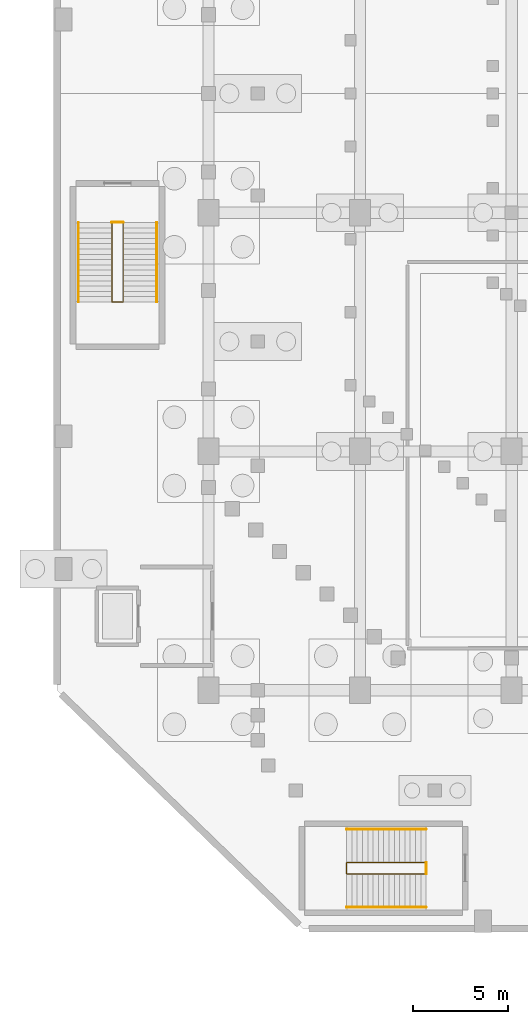
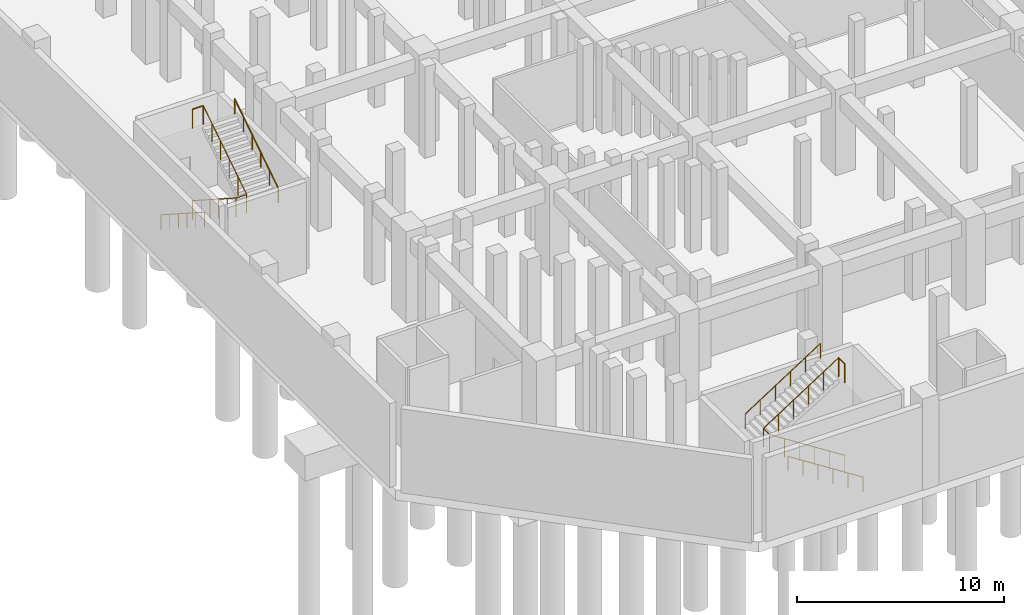
# One storey, part 21 of 27: 8 railings.
"""IFC4 building model written with IfcOpenShell, lengths in metres."""

from ifc_helpers import new_model, si_unit, derived_unit, direction, frame, origin, origin_2d, place, context, subcontext, project, spatial, circle, extrude, material, type_object, element, save


model = new_model("IFC4")

# Units and contexts
model_context = context("Model", 3, precision=1e-05, world=origin(), true_north=direction((0.0, 1.0)))
body_context = subcontext(model_context, "Body", "Model", "MODEL_VIEW")
ifc_project = project(units=[si_unit("LENGTHUNIT", "METRE"), si_unit("AREAUNIT", "SQUARE_METRE"), si_unit("VOLUMEUNIT", "CUBIC_METRE"), si_unit("PLANEANGLEUNIT", "RADIAN"), si_unit("MASSUNIT", "GRAM", prefix="KILO"), derived_unit("THERMALTRANSMITTANCEUNIT", [(si_unit("MASSUNIT", "GRAM", prefix="KILO"), 1), (si_unit("TIMEUNIT", "SECOND"), -3), (si_unit("THERMODYNAMICTEMPERATUREUNIT", "KELVIN"), -1)])], contexts=[model_context])

# Site, building, storey
site_placement = place(None, origin())
site = spatial("IfcSite", under=ifc_project, at=site_placement, CompositionType="ELEMENT")
building_placement = place(site_placement, origin())
building = spatial("IfcBuilding", under=site, at=building_placement, Name="Valcora Ridge Arena", CompositionType="ELEMENT")
storey_placement = place(building_placement, frame((0.0, 0.0, -5.39990234375)))
storey = spatial("IfcBuildingStorey", under=building, at=storey_placement, Name="B1", CompositionType="ELEMENT", Elevation=-5.39990234375)

# Railings
ifc_material = material(Name="Galvanized painted steel ASTM A500 Grade B", Category="steel")
railing_type_1 = type_object("IfcRailingType", Name="TY-RAILING-GRD-STAIR-1120", PredefinedType="GUARDRAIL", material=ifc_material)
railing_1_placement = place(storey_placement, frame((35.489990234375, 22.89990234375, 0.0)))
element("IfcRailing", 1, at=railing_1_placement, inside=storey, type_object=railing_type_1, Name="GRD-STAIR-1120 RAL-SG-0001", PredefinedType="GUARDRAIL", context=body_context, shape_type="SweptSolid", body=[
    extrude(circle(Radius=0.02392578125, at=origin_2d()), frame((0.0, 0.0, 1.09619140625), z_axis=(-0.841180064094, 0.0, 0.540755119968), x_axis=(0.0, -1.0, 0.0)), (0.0, 0.0, 1.0), 4.992919921875),
    extrude(circle(Radius=0.02392578125, at=origin_2d()), frame((-4.199951171875, 0.0, 3.7958984375), z_axis=(0.0, 1.0, 0.0), x_axis=(-1.0, 0.0, 0.0)), (0.0, 0.0, 1.0), 0.60009765625),
    extrude(circle(Radius=0.02392578125, at=origin_2d()), frame((-4.199951171875, 0.60009765625, 3.7958984375), z_axis=(0.841180064094, 0.0, 0.540755119968), x_axis=(0.0, 1.0, 0.0)), (0.0, 0.0, 1.0), 4.992919921875),
    extrude(circle(Radius=0.02099609375, at=origin_2d()), origin(), (0.0, 0.0, 1.0), 1.072021484375),
    extrude(circle(Radius=0.02099609375, at=origin_2d()), frame((-0.840087890625, 0.0, 0.5400390625)), (0.0, 0.0, 1.0), 1.072021484375),
    extrude(circle(Radius=0.02099609375, at=origin_2d()), frame((-1.679931640625, 0.0, 1.080078125)), (0.0, 0.0, 1.0), 1.072021484375),
    extrude(circle(Radius=0.02099609375, at=origin_2d()), frame((-2.52001953125, 0.0, 1.619873046875)), (0.0, 0.0, 1.0), 1.072021484375),
    extrude(circle(Radius=0.02099609375, at=origin_2d()), frame((-3.35986328125, 0.0, 2.159912109375)), (0.0, 0.0, 1.0), 1.072021484375),
    extrude(circle(Radius=0.02099609375, at=origin_2d()), frame((-4.199951171875, 0.0, 2.699951171875)), (0.0, 0.0, 1.0), 1.072021484375),
    extrude(circle(Radius=0.02099609375, at=origin_2d()), frame((-4.199951171875, 0.60009765625, 2.699951171875)), (0.0, 0.0, 1.0), 1.072021484375),
    extrude(circle(Radius=0.02099609375, at=origin_2d()), frame((-3.35986328125, 0.60009765625, 3.239990234375)), (0.0, 0.0, 1.0), 1.072021484375),
    extrude(circle(Radius=0.02099609375, at=origin_2d()), frame((-2.52001953125, 0.60009765625, 3.780029296875)), (0.0, 0.0, 1.0), 1.072021484375),
    extrude(circle(Radius=0.02099609375, at=origin_2d()), frame((-1.679931640625, 0.60009765625, 4.31982421875)), (0.0, 0.0, 1.0), 1.072021484375),
    extrude(circle(Radius=0.02099609375, at=origin_2d()), frame((-0.840087890625, 0.60009765625, 4.85986328125)), (0.0, 0.0, 1.0), 1.072021484375),
    extrude(circle(Radius=0.02099609375, at=origin_2d()), frame((0.0, 0.60009765625, 5.39990234375)), (0.0, 0.0, 1.0), 1.072021484375),
])
railing_2_placement = place(storey_placement, frame((35.489990234375, 22.89990234375, 5.39990234375)))
element("IfcRailing", 2, at=railing_2_placement, inside=storey, type_object=railing_type_1, Name="GRD-STAIR-1120 RAL-SG-0002", PredefinedType="GUARDRAIL", context=body_context, shape_type="SweptSolid", body=[
    extrude(circle(Radius=0.02392578125, at=origin_2d()), frame((0.0, 0.0, 1.09619140625), z_axis=(0.0, 1.0, 0.0), x_axis=(-1.0, 0.0, 0.0)), (0.0, 0.0, 1.0), 0.60009765625),
    extrude(circle(Radius=0.02099609375, at=origin_2d()), origin(), (0.0, 0.0, 1.0), 1.072021484375),
    extrude(circle(Radius=0.02099609375, at=origin_2d()), frame((0.0, 0.60009765625, 0.0)), (0.0, 0.0, 1.0), 1.072021484375),
])
railing_3_placement = place(storey_placement, frame((18.89990234375, 57.2900390625, 0.0)))
element("IfcRailing", 3, at=railing_3_placement, inside=storey, type_object=railing_type_1, Name="GRD-STAIR-1120 RAL-SG-0045", PredefinedType="GUARDRAIL", context=body_context, shape_type="SweptSolid", body=[
    extrude(circle(Radius=0.02392578125, at=origin_2d()), frame((0.0, 0.0, 1.09619140625), z_axis=(0.0, -0.841180064094, 0.540755119968), x_axis=(1.0, 0.0, 0.0)), (0.0, 0.0, 1.0), 4.992919921875),
    extrude(circle(Radius=0.02392578125, at=origin_2d()), frame((0.0, -4.199951171875, 3.7958984375), z_axis=(1.0, 0.0, 0.0), x_axis=(0.0, 1.0, 0.0)), (0.0, 0.0, 1.0), 0.60009765625),
    extrude(circle(Radius=0.02392578125, at=origin_2d()), frame((0.60009765625, -4.199951171875, 3.7958984375), z_axis=(0.0, 0.841180064094, 0.540755119968), x_axis=(-1.0, 0.0, 0.0)), (0.0, 0.0, 1.0), 4.992919921875),
    extrude(circle(Radius=0.02099609375, at=origin_2d()), origin(), (0.0, 0.0, 1.0), 1.072021484375),
    extrude(circle(Radius=0.02099609375, at=origin_2d()), frame((0.0, -0.840087890625, 0.5400390625)), (0.0, 0.0, 1.0), 1.072021484375),
    extrude(circle(Radius=0.02099609375, at=origin_2d()), frame((0.0, -1.679931640625, 1.080078125)), (0.0, 0.0, 1.0), 1.072021484375),
    extrude(circle(Radius=0.02099609375, at=origin_2d()), frame((0.0, -2.52001953125, 1.619873046875)), (0.0, 0.0, 1.0), 1.072021484375),
    extrude(circle(Radius=0.02099609375, at=origin_2d()), frame((0.0, -3.35986328125, 2.159912109375)), (0.0, 0.0, 1.0), 1.072021484375),
    extrude(circle(Radius=0.02099609375, at=origin_2d()), frame((0.0, -4.199951171875, 2.699951171875)), (0.0, 0.0, 1.0), 1.072021484375),
    extrude(circle(Radius=0.02099609375, at=origin_2d()), frame((0.60009765625, -4.199951171875, 2.699951171875)), (0.0, 0.0, 1.0), 1.072021484375),
    extrude(circle(Radius=0.02099609375, at=origin_2d()), frame((0.60009765625, -3.35986328125, 3.239990234375)), (0.0, 0.0, 1.0), 1.072021484375),
    extrude(circle(Radius=0.02099609375, at=origin_2d()), frame((0.60009765625, -2.52001953125, 3.780029296875)), (0.0, 0.0, 1.0), 1.072021484375),
    extrude(circle(Radius=0.02099609375, at=origin_2d()), frame((0.60009765625, -1.679931640625, 4.31982421875)), (0.0, 0.0, 1.0), 1.072021484375),
    extrude(circle(Radius=0.02099609375, at=origin_2d()), frame((0.60009765625, -0.840087890625, 4.85986328125)), (0.0, 0.0, 1.0), 1.072021484375),
    extrude(circle(Radius=0.02099609375, at=origin_2d()), frame((0.60009765625, 0.0, 5.39990234375)), (0.0, 0.0, 1.0), 1.072021484375),
])
railing_4_placement = place(storey_placement, frame((18.89990234375, 57.2900390625, 5.39990234375)))
element("IfcRailing", 4, at=railing_4_placement, inside=storey, type_object=railing_type_1, Name="GRD-STAIR-1120 RAL-SG-0046", PredefinedType="GUARDRAIL", context=body_context, shape_type="SweptSolid", body=[
    extrude(circle(Radius=0.02392578125, at=origin_2d()), frame((0.0, 0.0, 1.09619140625), z_axis=(1.0, 0.0, 0.0), x_axis=(0.0, 1.0, 0.0)), (0.0, 0.0, 1.0), 0.60009765625),
    extrude(circle(Radius=0.02099609375, at=origin_2d()), origin(), (0.0, 0.0, 1.0), 1.072021484375),
    extrude(circle(Radius=0.02099609375, at=origin_2d()), frame((0.60009765625, 0.0, 0.0)), (0.0, 0.0, 1.0), 1.072021484375),
])
railing_type_2 = type_object("IfcRailingType", Name="TY-RAILING-HR-STAIR-900", PredefinedType="HANDRAIL", material=ifc_material)
railing_5_placement = place(storey_placement, frame((35.489990234375, 21.139892578125, 0.0)))
element("IfcRailing", 5, at=railing_5_placement, inside=storey, type_object=railing_type_2, Name="HR-STAIR-900 RAL-SH-0001", PredefinedType="HANDRAIL", context=body_context, shape_type="SweptSolid", body=[
    extrude(circle(Radius=0.02392578125, at=origin_2d()), frame((0.0, 0.0, 0.8759765625), z_axis=(-0.841180064094, 0.0, 0.540755119968), x_axis=(0.0, -1.0, 0.0)), (0.0, 0.0, 1.0), 4.992919921875),
    extrude(circle(Radius=0.02099609375, at=origin_2d()), origin(), (0.0, 0.0, 1.0), 0.851806640625),
    extrude(circle(Radius=0.02099609375, at=origin_2d()), frame((-0.840087890625, 0.0, 0.5400390625)), (0.0, 0.0, 1.0), 0.851806640625),
    extrude(circle(Radius=0.02099609375, at=origin_2d()), frame((-1.679931640625, 0.0, 1.080078125)), (0.0, 0.0, 1.0), 0.851806640625),
    extrude(circle(Radius=0.02099609375, at=origin_2d()), frame((-2.52001953125, 0.0, 1.619873046875)), (0.0, 0.0, 1.0), 0.851806640625),
    extrude(circle(Radius=0.02099609375, at=origin_2d()), frame((-3.35986328125, 0.0, 2.159912109375)), (0.0, 0.0, 1.0), 0.851806640625),
    extrude(circle(Radius=0.02099609375, at=origin_2d()), frame((-4.199951171875, 0.0, 2.699951171875)), (0.0, 0.0, 1.0), 0.851806640625),
])
railing_6_placement = place(storey_placement, frame((31.2900390625, 25.260009765625, 2.699951171875)))
element("IfcRailing", 6, at=railing_6_placement, inside=storey, type_object=railing_type_2, Name="HR-STAIR-900 RAL-SH-0002", PredefinedType="HANDRAIL", context=body_context, shape_type="SweptSolid", body=[
    extrude(circle(Radius=0.02392578125, at=origin_2d()), frame((0.0, 0.0, 0.8759765625), z_axis=(0.841180064094, 0.0, 0.540755119968), x_axis=(0.0, 1.0, 0.0)), (0.0, 0.0, 1.0), 4.992919921875),
    extrude(circle(Radius=0.02099609375, at=origin_2d()), origin(), (0.0, 0.0, 1.0), 0.851806640625),
    extrude(circle(Radius=0.02099609375, at=origin_2d()), frame((0.840087890625, 0.0, 0.5400390625)), (0.0, 0.0, 1.0), 0.851806640625),
    extrude(circle(Radius=0.02099609375, at=origin_2d()), frame((1.679931640625, 0.0, 1.080078125)), (0.0, 0.0, 1.0), 0.851806640625),
    extrude(circle(Radius=0.02099609375, at=origin_2d()), frame((2.52001953125, 0.0, 1.619873046875)), (0.0, 0.0, 1.0), 0.851806640625),
    extrude(circle(Radius=0.02099609375, at=origin_2d()), frame((3.35986328125, 0.0, 2.159912109375)), (0.0, 0.0, 1.0), 0.851806640625),
    extrude(circle(Radius=0.02099609375, at=origin_2d()), frame((4.199951171875, 0.0, 2.699951171875)), (0.0, 0.0, 1.0), 0.851806640625),
])
railing_7_placement = place(storey_placement, frame((17.139892578125, 57.2900390625, 0.0)))
element("IfcRailing", 7, at=railing_7_placement, inside=storey, type_object=railing_type_2, Name="HR-STAIR-900 RAL-SH-0045", PredefinedType="HANDRAIL", context=body_context, shape_type="SweptSolid", body=[
    extrude(circle(Radius=0.02392578125, at=origin_2d()), frame((0.0, 0.0, 0.8759765625), z_axis=(0.0, -0.841180064094, 0.540755119968), x_axis=(1.0, 0.0, 0.0)), (0.0, 0.0, 1.0), 4.992919921875),
    extrude(circle(Radius=0.02099609375, at=origin_2d()), origin(), (0.0, 0.0, 1.0), 0.851806640625),
    extrude(circle(Radius=0.02099609375, at=origin_2d()), frame((0.0, -0.840087890625, 0.5400390625)), (0.0, 0.0, 1.0), 0.851806640625),
    extrude(circle(Radius=0.02099609375, at=origin_2d()), frame((0.0, -1.679931640625, 1.080078125)), (0.0, 0.0, 1.0), 0.851806640625),
    extrude(circle(Radius=0.02099609375, at=origin_2d()), frame((0.0, -2.52001953125, 1.619873046875)), (0.0, 0.0, 1.0), 0.851806640625),
    extrude(circle(Radius=0.02099609375, at=origin_2d()), frame((0.0, -3.35986328125, 2.159912109375)), (0.0, 0.0, 1.0), 0.851806640625),
    extrude(circle(Radius=0.02099609375, at=origin_2d()), frame((0.0, -4.199951171875, 2.699951171875)), (0.0, 0.0, 1.0), 0.851806640625),
])
railing_8_placement = place(storey_placement, frame((21.260009765625, 53.090087890625, 2.699951171875)))
element("IfcRailing", 8, at=railing_8_placement, inside=storey, type_object=railing_type_2, Name="HR-STAIR-900 RAL-SH-0046", PredefinedType="HANDRAIL", context=body_context, shape_type="SweptSolid", body=[
    extrude(circle(Radius=0.02392578125, at=origin_2d()), frame((0.0, 0.0, 0.8759765625), z_axis=(0.0, 0.841180064094, 0.540755119968), x_axis=(-1.0, 0.0, 0.0)), (0.0, 0.0, 1.0), 4.992919921875),
    extrude(circle(Radius=0.02099609375, at=origin_2d()), origin(), (0.0, 0.0, 1.0), 0.851806640625),
    extrude(circle(Radius=0.02099609375, at=origin_2d()), frame((0.0, 0.840087890625, 0.5400390625)), (0.0, 0.0, 1.0), 0.851806640625),
    extrude(circle(Radius=0.02099609375, at=origin_2d()), frame((0.0, 1.679931640625, 1.080078125)), (0.0, 0.0, 1.0), 0.851806640625),
    extrude(circle(Radius=0.02099609375, at=origin_2d()), frame((0.0, 2.52001953125, 1.619873046875)), (0.0, 0.0, 1.0), 0.851806640625),
    extrude(circle(Radius=0.02099609375, at=origin_2d()), frame((0.0, 3.35986328125, 2.159912109375)), (0.0, 0.0, 1.0), 0.851806640625),
    extrude(circle(Radius=0.02099609375, at=origin_2d()), frame((0.0, 4.199951171875, 2.699951171875)), (0.0, 0.0, 1.0), 0.851806640625),
])

save(model, "model.ifc")
